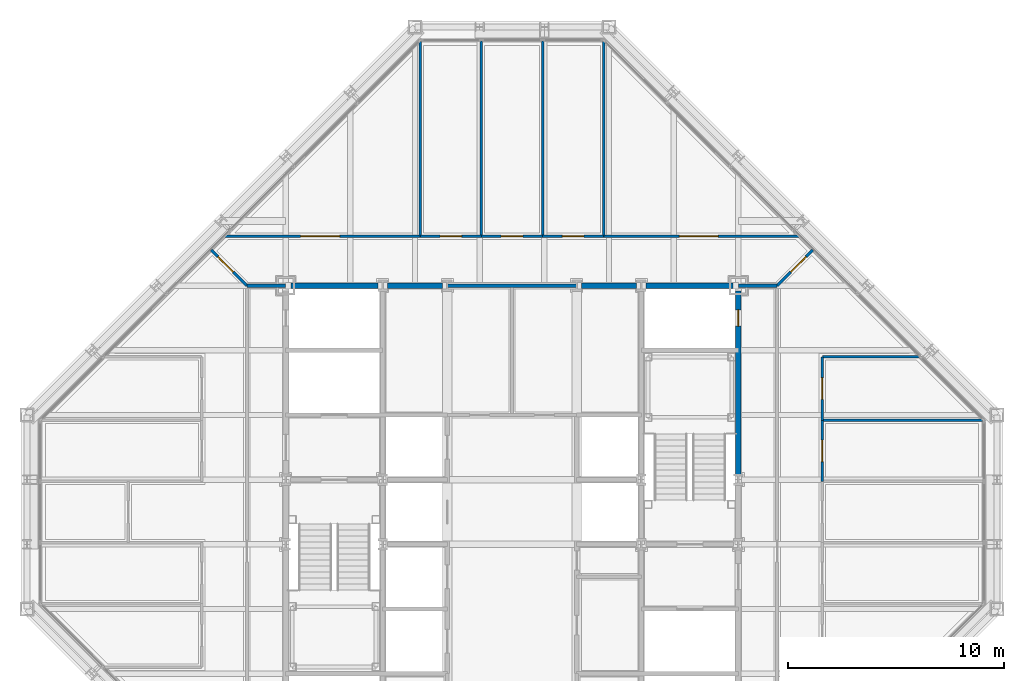
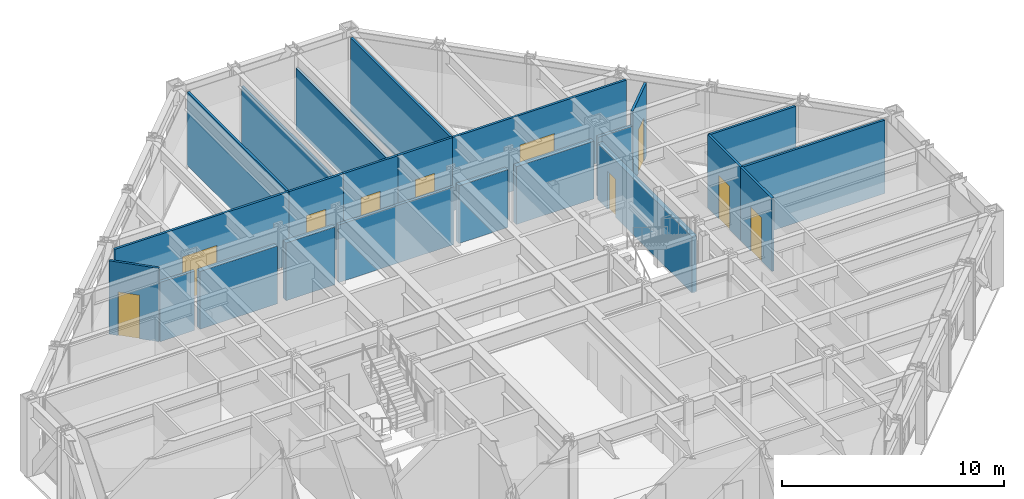
# One storey, part 12 of 15: 23 walls, 10 doors, 10 openings.
"""IFC4 building model written with IfcOpenShell, lengths in metres."""

import ifcopenshell
import ifcopenshell.guid

model = None  # the IFC model being written
_history = None  # IfcOwnerHistory: only IFC2X3 demands one
_inside = {}  # id of a spatial element -> (the spatial element, [elements in it])
_under = {}  # id of a project, library or spatial element -> (it, [spatial elements below it])
_declared = {}  # id of a project -> (the project, [libraries it declares])
_typed = {}  # id of a type object -> (the type object, [elements of that type])
_made_of = {}  # id of a material, layer set ... -> (it, [elements and type objects made of it])


def new_model(schema):
    """Start an empty IFC model of exactly this schema.

    Asked for "IFC4X3", IfcOpenShell would pick the latest addendum, in which some entities
    have other attributes; the version numbers below select the first issue.
    IFC2X3 requires an IfcOwnerHistory on every rooted entity: one is made here for all.
    """
    global model, _history
    if schema == "IFC4X3":
        model = ifcopenshell.file(schema_version=(4, 3, 0, 0))
    else:
        model = ifcopenshell.file(schema=schema)
    _inside.clear()
    _under.clear()
    _declared.clear()
    _typed.clear()
    _made_of.clear()
    _history = None
    if model.schema == "IFC2X3":
        org = make("IfcOrganization", Name="unknown")
        user = make(
            "IfcPersonAndOrganization",
            ThePerson=make("IfcPerson", FamilyName="unknown"),
            TheOrganization=org,
        )
        app = make(
            "IfcApplication",
            ApplicationDeveloper=org,
            Version="unknown",
            ApplicationFullName="unknown",
            ApplicationIdentifier="unknown",
        )
        _history = make(
            "IfcOwnerHistory",
            OwningUser=user,
            OwningApplication=app,
            ChangeAction="ADDED",
            CreationDate=0,
        )
    return model


def make(cls, **values):
    """One entity of the class cls with the attributes given. An attribute that is None is left unset."""
    return model.create_entity(
        cls, **{name: value for name, value in values.items() if value is not None}
    )


def rooted(cls, **values):
    """An entity with a GlobalId (a new one), such as an element, a storey or a relation."""
    return make(cls, GlobalId=ifcopenshell.guid.new(), OwnerHistory=_history, **values)


def si_unit(unit_type, name, prefix=None):
    """IfcSIUnit, for example si_unit("LENGTHUNIT", "METRE", prefix="MILLI")."""
    return make("IfcSIUnit", UnitType=unit_type, Prefix=prefix, Name=name)


def assignment(units):
    """IfcUnitAssignment: the units of a project."""
    return None if units is None else make("IfcUnitAssignment", Units=units)


def point(xyz):
    """IfcCartesianPoint."""
    return None if xyz is None else make("IfcCartesianPoint", Coordinates=xyz)


def direction(xyz):
    """IfcDirection."""
    return None if xyz is None else make("IfcDirection", DirectionRatios=xyz)


def frame(location, z_axis=None, x_axis=None):
    """IfcAxis2Placement3D, a coordinate frame: its origin and axes. An axis left out is left unset."""
    return make(
        "IfcAxis2Placement3D",
        Location=point(location),
        Axis=direction(z_axis),
        RefDirection=direction(x_axis),
    )


def frame_2d(location, x_axis=None):
    """IfcAxis2Placement2D, a coordinate frame in the plane: its origin and x axis."""
    return make(
        "IfcAxis2Placement2D", Location=point(location), RefDirection=direction(x_axis)
    )


def origin():
    """The frame at (0, 0, 0) with its axes left unset."""
    return frame((0.0, 0.0, 0.0))


def place(relative_to, where):
    """IfcLocalPlacement: puts the frame where relative to a parent placement (None: the world)."""
    return make(
        "IfcLocalPlacement", PlacementRelTo=relative_to, RelativePlacement=where
    )


def context(
    kind, dimensions, precision=None, world=None, true_north=None, identifier=None
):
    """IfcGeometricRepresentationContext, for example the 3D "Model" context."""
    return make(
        "IfcGeometricRepresentationContext",
        ContextIdentifier=identifier,
        ContextType=kind,
        CoordinateSpaceDimension=dimensions,
        Precision=precision,
        WorldCoordinateSystem=world,
        TrueNorth=true_north,
    )


def subcontext(parent, identifier, kind, view, scale=None):
    """IfcGeometricRepresentationSubContext, for example "Body" below "Model"."""
    return make(
        "IfcGeometricRepresentationSubContext",
        ContextIdentifier=identifier,
        ContextType=kind,
        ParentContext=parent,
        TargetScale=scale,
        TargetView=view,
    )


def project(units=None, contexts=None):
    """IfcProject with its units and contexts."""
    return rooted(
        "IfcProject",
        Name="project",
        RepresentationContexts=contexts,
        UnitsInContext=assignment(units),
    )


def spatial(cls, under=None, at=None, **own):
    """A site, building, storey or space (cls), placed at a placement, below another one or the project."""
    s = rooted(cls, ObjectPlacement=at, **own)
    if under is not None:
        _under.setdefault(under.id(), (under, []))[1].append(s)
    return s


def profile(cls, at=None, kind="AREA", **sizes):
    """A parametric profile (cls). Its sizes go by their IFC names, for example OverallWidth=200.0."""
    return make(cls, ProfileType=kind, Position=at, **sizes)


def rectangle(**sizes):
    """IfcRectangleProfileDef."""
    return profile("IfcRectangleProfileDef", **sizes)


def extrude(swept, where, along, depth):
    """IfcExtrudedAreaSolid: the profile swept, set in the frame where, extruded along a direction by depth."""
    return make(
        "IfcExtrudedAreaSolid",
        SweptArea=swept,
        Position=where,
        ExtrudedDirection=direction(along),
        Depth=depth,
    )


def shape(context_of_items, identifier, shape_type, items):
    """IfcShapeRepresentation: the items that make up one representation, for example the "Body"."""
    return make(
        "IfcShapeRepresentation",
        ContextOfItems=context_of_items,
        RepresentationIdentifier=identifier,
        RepresentationType=shape_type,
        Items=items,
    )


def material(Name=None, Category=None):
    """IfcMaterial."""
    return make("IfcMaterial", Name=Name, Category=Category)


def layer(
    of_material, thickness, ventilated=None, Name=None, Category=None, Priority=None
):
    """IfcMaterialLayer: one layer of a wall or slab, of a material (None: an air gap)."""
    return make(
        "IfcMaterialLayer",
        Material=of_material,
        LayerThickness=thickness,
        IsVentilated=ventilated,
        Name=Name,
        Category=Category,
        Priority=Priority,
    )


def layer_set(layers, Name=None):
    """IfcMaterialLayerSet."""
    return make("IfcMaterialLayerSet", MaterialLayers=layers, LayerSetName=Name)


def made_of(thing, what):
    """Note that an element or type object is made of a material, layer set ...; save() writes the relation."""
    if what is not None:
        _made_of.setdefault(what.id(), (what, []))[1].append(thing)
    return thing


def type_object(cls, material=None, **own):
    """A type object (cls), such as IfcWallType, which elements share."""
    return made_of(rooted(cls, **own), material)


def element(
    cls,
    number,
    at=None,
    inside=None,
    cuts=None,
    type_object=None,
    material=None,
    context=None,
    identifier="Body",
    shape_type=None,
    held_by="IfcProductDefinitionShape",
    body=None,
    shapes=None,
    **own,
):
    """One element of the class cls, such as IfcWall. Its Tag is "e" and its number.

    at: its placement. inside: the storey or other place that contains it. cuts: it is an
    opening in that element (IfcRelVoidsElement). A single representation is given by context,
    identifier, shape_type and body (its items); several are given by shapes. held_by: the class
    of the entity that holds the representations. save() writes the other relations.
    """
    e = rooted(cls, Tag="e%d" % number, ObjectPlacement=at, **own)
    if body is not None:
        shapes = [shape(context, identifier, shape_type, body)]
    if shapes is not None:
        e.Representation = make(held_by, Representations=shapes)
    if inside is not None:
        _inside.setdefault(inside.id(), (inside, []))[1].append(e)
    if cuts is not None:
        rooted(
            "IfcRelVoidsElement", RelatingBuildingElement=cuts, RelatedOpeningElement=e
        )
    if type_object is not None:
        _typed.setdefault(type_object.id(), (type_object, []))[1].append(e)
    return made_of(e, material)


def fill(opening, filler):
    """IfcRelFillsElement: the door or window that sits in an opening."""
    return rooted(
        "IfcRelFillsElement",
        RelatingOpeningElement=opening,
        RelatedBuildingElement=filler,
    )


def aggregate(whole, parts):
    """IfcRelAggregates: a whole, such as a stair, and the parts it consists of."""
    return rooted("IfcRelAggregates", RelatingObject=whole, RelatedObjects=parts)


def save(model, path):
    """Write the relations noted so far, then the file.

    IfcRelAggregates (storeys below a building ...), IfcRelContainedInSpatialStructure (elements
    in a storey), IfcRelDefinesByType, IfcRelAssociatesMaterial and IfcRelDeclares: one each for
    every whole, place, type object, material and project.
    """
    for whole, parts in _under.values():
        aggregate(whole, parts)
    for where, things in _inside.values():
        rooted(
            "IfcRelContainedInSpatialStructure",
            RelatedElements=things,
            RelatingStructure=where,
        )
    for kind, things in _typed.values():
        rooted("IfcRelDefinesByType", RelatedObjects=things, RelatingType=kind)
    for what, things in _made_of.values():
        rooted("IfcRelAssociatesMaterial", RelatedObjects=things, RelatingMaterial=what)
    for by, libraries in _declared.values():
        rooted("IfcRelDeclares", RelatingContext=by, RelatedDefinitions=libraries)
    model.write(path)


model = new_model("IFC4")

# Units and contexts
model_context = context("Model", 3, precision=1e-05, world=origin(), true_north=direction((0.0, 1.0)))
body_context = subcontext(model_context, "Body", "Model", "MODEL_VIEW")
ifc_project = project(units=[si_unit("LENGTHUNIT", "METRE"), si_unit("AREAUNIT", "SQUARE_METRE"), si_unit("VOLUMEUNIT", "CUBIC_METRE"), si_unit("PLANEANGLEUNIT", "RADIAN"), si_unit("MASSUNIT", "GRAM", prefix="KILO")], contexts=[model_context])

# Site, building, storey
site_placement = place(None, origin())
site = spatial("IfcSite", under=ifc_project, at=site_placement, CompositionType="ELEMENT")
building_placement = place(site_placement, origin())
building = spatial("IfcBuilding", under=site, at=building_placement, Name="Chuquiago Exchange Tower", CompositionType="ELEMENT")
storey_placement = place(building_placement, frame((0.0, 0.0, 270.60009765625)))
storey = spatial("IfcBuildingStorey", under=building, at=storey_placement, Name="L60", CompositionType="ELEMENT", Elevation=270.60009765625)

# Walls
ifc_material_1 = material(Name="Concrete masonry, fully grouted", Category="masonry")
ifc_layer_1 = layer(ifc_material_1, 0.25)
ifc_layer_set_1 = layer_set([ifc_layer_1], Name="W1 core wall 250")
wall_type_1 = type_object("IfcWallType", Name="W1 core wall 250", PredefinedType="SOLIDWALL", material=ifc_layer_set_1)
wall_1_placement = place(storey_placement, frame((12.25, 33.0, 0.0), z_axis=(0.0, 0.0, 1.0), x_axis=(1.0, 0.0, 0.0)))
element("IfcWall", 1, at=wall_1_placement, inside=storey, type_object=wall_type_1, Name="CW-L60-11-0", PredefinedType="SOLIDWALL", context=body_context, shape_type="SweptSolid", body=[
    extrude(rectangle(XDim=4.025146484375, YDim=0.25, at=frame_2d((2.0126953125, 0.0))), origin(), (0.0, 0.0, 1.0), 3.181396484375),
])
for number, where, z_axis, x_axis, name in (
    (2, (16.724853515625, 33.0, 0.0), (0.0, 0.0, 1.0), (1.0, 0.0, 0.0), "CW-L60-11-1"),
    (3, (25.724853515625, 33.0, 0.0), (0.0, 0.0, 1.0), (1.0, 0.0, 0.0), "CW-L60-12-0"),
):
    element("IfcWall", number, at=place(storey_placement, frame(where, z_axis=z_axis, x_axis=x_axis)), inside=storey, type_object=wall_type_1, Name=name, PredefinedType="SOLIDWALL", context=body_context, shape_type="SweptSolid", body=[
        extrude(rectangle(XDim=2.55029296875, YDim=0.25, at=frame_2d((1.275146484375, 0.0))), origin(), (0.0, 0.0, 1.0), 3.181396484375),
    ])
wall_2_placement = place(storey_placement, frame((28.724853515625, 33.0, 0.0), z_axis=(0.0, 0.0, 1.0), x_axis=(1.0, 0.0, 0.0)))
element("IfcWall", 4, at=wall_2_placement, inside=storey, type_object=wall_type_1, Name="CW-L60-12-1", PredefinedType="SOLIDWALL", context=body_context, shape_type="SweptSolid", body=[
    extrude(rectangle(XDim=4.025146484375, YDim=0.25, at=frame_2d((2.0126953125, 0.0))), origin(), (0.0, 0.0, 1.0), 3.181396484375),
])

# Wall, opening, door
wall_3_placement = place(storey_placement, frame((33.0, 24.25, 0.0), z_axis=(0.0, 0.0, 1.0), x_axis=(0.0, 1.0, 0.0)))
wall_3 = element("IfcWall", 5, at=wall_3_placement, inside=storey, type_object=wall_type_1, Name="CW-L60-25-2", PredefinedType="SOLIDWALL", context=body_context, shape_type="SweptSolid", body=[
    extrude(rectangle(XDim=8.5, YDim=0.25, at=frame_2d((4.25, 0.0))), origin(), (0.0, 0.0, 1.0), 3.11279296875),
])
opening_1_placement = place(wall_3_placement, frame((6.875, 0.0, 0.0)))
opening_1 = element("IfcOpeningElement", 6, at=opening_1_placement, cuts=wall_3, Name="Opening L60-010", PredefinedType="OPENING", context=body_context, shape_type="SweptSolid", body=[
    extrude(rectangle(XDim=0.75, YDim=2.10009765625, at=frame_2d((0.375, 1.050048828125))), frame((0.0, 0.135009765625, 0.0), z_axis=(0.0, -1.0, 0.0), x_axis=(1.0, 0.0, 0.0)), (0.0, 0.0, 1.0), 0.27001953125),
])
ifc_material_2 = material(Name="Steel door, painted", Category="steel")
door_type_1 = type_object("IfcDoorType", Name="D6 riser access door 750x2100", OperationType="SINGLE_SWING_LEFT", PredefinedType="DOOR", material=ifc_material_2)
door_1_placement = place(opening_1_placement, origin())
door_1 = element("IfcDoor", 7, at=door_1_placement, inside=storey, type_object=door_type_1, Name="Riser RE2 door", OperationType="SINGLE_SWING_RIGHT", OverallHeight=2.10009765625, OverallWidth=0.75, PredefinedType="DOOR", context=body_context, shape_type="SweptSolid", body=[
    extrude(rectangle(XDim=0.75, YDim=2.10009765625, at=frame_2d((0.375, 1.050048828125))), frame((0.0, 0.02490234375, 0.0), z_axis=(0.0, -1.0, 0.0), x_axis=(1.0, 0.0, 0.0)), (0.0, 0.0, 1.0), 0.050048828125),
])
fill(opening_1, door_1)

# Walls
ifc_material_3 = material(Name="Gypsum board on steel studs, acoustic insulation", Category="steel")
ifc_layer_2 = layer(ifc_material_3, 0.14990234375)
ifc_layer_set_2 = layer_set([ifc_layer_2], Name="W11 corridor wall 150")
wall_type_2 = type_object("IfcWallType", Name="W11 corridor wall 150", PredefinedType="PARTITIONING", material=ifc_layer_set_2)
for number, where, z_axis, x_axis, name in (
    (8, (10.199951171875, 33.0, 0.0), (0.0, 0.0, 1.0), (1.0, 0.0, 0.0), "PW-L60-GWN0"),
    (9, (33.0, 33.0, 0.0), (0.0, 0.0, 1.0), (1.0, 0.0, 0.0), "PW-L60-GEN0"),
):
    element("IfcWall", number, at=place(storey_placement, frame(where, z_axis=z_axis, x_axis=x_axis)), inside=storey, type_object=wall_type_2, Name=name, PredefinedType="PARTITIONING", context=body_context, shape_type="SweptSolid", body=[
        extrude(rectangle(XDim=1.800048828125, YDim=0.14990234375, at=frame_2d((0.89990234375, 0.0))), origin(), (0.0, 0.0, 1.0), 3.270263671875),
    ])
ifc_material_4 = material(Name="Gypsum board on steel studs", Category="steel")
ifc_layer_3 = layer(ifc_material_4, 0.14990234375)
ifc_layer_set_3 = layer_set([ifc_layer_3], Name="W3 core partition 150")
wall_type_3 = type_object("IfcWallType", Name="W3 core partition 150", PredefinedType="PARTITIONING", material=ifc_layer_set_3)
wall_4_placement = place(storey_placement, frame((19.5, 33.0, 0.0), z_axis=(0.0, 0.0, 1.0), x_axis=(1.0, 0.0, 0.0)))
element("IfcWall", 10, at=wall_4_placement, inside=storey, type_object=wall_type_3, Name="CW-L60-TB", PredefinedType="PARTITIONING", context=body_context, shape_type="SweptSolid", body=[
    extrude(rectangle(XDim=6.0, YDim=0.14990234375, at=frame_2d((3.0, 0.0))), origin(), (0.0, 0.0, 1.0), 3.181396484375),
])
ifc_material_5 = material(Name="Gypsum board on steel studs", Category="steel")
ifc_layer_4 = layer(ifc_material_5, 0.1201171875)
ifc_layer_set_4 = layer_set([ifc_layer_4], Name="W4 partition 120")
wall_type_4 = type_object("IfcWallType", Name="W4 partition 120", PredefinedType="PARTITIONING", material=ifc_layer_set_4)
wall_5_placement = place(storey_placement, frame((44.333984375, 26.75146484375, 0.0), z_axis=(0.0, 0.0, 1.0), x_axis=(-1.0, 0.0, 0.0)))
element("IfcWall", 11, at=wall_5_placement, inside=storey, type_object=wall_type_4, Name="PW-L60-E02675", PredefinedType="PARTITIONING", context=body_context, shape_type="SweptSolid", body=[
    extrude(rectangle(XDim=7.43408203125, YDim=0.1201171875, at=frame_2d((3.717041015625, 0.0))), origin(), (0.0, 0.0, 1.0), 4.039794921875),
])
wall_6_placement = place(storey_placement, frame((41.392578125, 29.69287109375, 0.0), z_axis=(0.0, 0.0, 1.0), x_axis=(-1.0, 0.0, 0.0)))
element("IfcWall", 12, at=wall_6_placement, inside=storey, type_object=wall_type_4, Name="PW-L60-E02969", PredefinedType="PARTITIONING", context=body_context, shape_type="SweptSolid", body=[
    extrude(rectangle(XDim=4.49267578125, YDim=0.1201171875, at=frame_2d((2.246337890625, 0.0))), origin(), (0.0, 0.0, 1.0), 4.039794921875),
])

# Wall, opening, door
wall_7_placement = place(storey_placement, frame((36.89990234375, 23.917236328125, 0.0), z_axis=(0.0, 0.0, 1.0), x_axis=(0.0, 1.0, 0.0)))
wall_7 = element("IfcWall", 13, at=wall_7_placement, inside=storey, type_object=wall_type_4, Name="PW-L60-EF02392", PredefinedType="PARTITIONING", context=body_context, shape_type="SweptSolid", body=[
    extrude(rectangle(XDim=2.834228515625, YDim=0.1201171875, at=frame_2d((1.4169921875, 0.0))), origin(), (0.0, 0.0, 1.0), 4.039794921875),
])
opening_2_placement = place(wall_7_placement, frame((0.9169921875, 0.0, 0.0)))
opening_2 = element("IfcOpeningElement", 14, at=opening_2_placement, cuts=wall_7, Name="Opening L60-029", PredefinedType="OPENING", context=body_context, shape_type="SweptSolid", body=[
    extrude(rectangle(XDim=1.0, YDim=2.39990234375, at=frame_2d((0.5, 1.199951171875))), frame((0.0, 0.070068359375, 0.0), z_axis=(0.0, -1.0, 0.0), x_axis=(1.0, 0.0, 0.0)), (0.0, 0.0, 1.0), 0.14013671875),
])
ifc_material_6 = material(Name="Timber frame door, full height glazed panel", Category="wood")
door_type_2 = type_object("IfcDoorType", Name="D14 glazed meeting room door 1000x2400", OperationType="SINGLE_SWING_LEFT", PredefinedType="DOOR", material=ifc_material_6)
door_2_placement = place(opening_2_placement, frame((1.0, 0.0, 0.0), z_axis=(0.0, 0.0, 1.0), x_axis=(-1.0, 0.0, 0.0)))
door_2 = element("IfcDoor", 15, at=door_2_placement, inside=storey, type_object=door_type_2, Name="Meeting room door", OperationType="SINGLE_SWING_RIGHT", OverallHeight=2.39990234375, OverallWidth=1.0, PredefinedType="DOOR", context=body_context, shape_type="SweptSolid", body=[
    extrude(rectangle(XDim=1.0, YDim=2.39990234375, at=frame_2d((0.5, 1.199951171875))), frame((0.0, 0.02490234375, 0.0), z_axis=(0.0, -1.0, 0.0), x_axis=(1.0, 0.0, 0.0)), (0.0, 0.0, 1.0), 0.050048828125),
])
fill(opening_2, door_2)

wall_8_placement = place(storey_placement, frame((36.89990234375, 26.75146484375, 0.0), z_axis=(0.0, 0.0, 1.0), x_axis=(0.0, 1.0, 0.0)))
wall_8 = element("IfcWall", 16, at=wall_8_placement, inside=storey, type_object=wall_type_4, Name="PW-L60-EF02675", PredefinedType="PARTITIONING", context=body_context, shape_type="SweptSolid", body=[
    extrude(rectangle(XDim=2.94140625, YDim=0.1201171875, at=frame_2d((1.470703125, 0.0))), origin(), (0.0, 0.0, 1.0), 4.039794921875),
])
opening_3_placement = place(wall_8_placement, frame((0.970703125, 0.0, 0.0)))
opening_3 = element("IfcOpeningElement", 17, at=opening_3_placement, cuts=wall_8, Name="Opening L60-030", PredefinedType="OPENING", context=body_context, shape_type="SweptSolid", body=[
    extrude(rectangle(XDim=1.0, YDim=2.39990234375, at=frame_2d((0.5, 1.199951171875))), frame((0.0, 0.070068359375, 0.0), z_axis=(0.0, -1.0, 0.0), x_axis=(1.0, 0.0, 0.0)), (0.0, 0.0, 1.0), 0.14013671875),
])
ifc_material_7 = material(Name="Timber door, laminate faced", Category="wood")
door_type_3 = type_object("IfcDoorType", Name="D9 room door 1000x2400", OperationType="SINGLE_SWING_LEFT", PredefinedType="DOOR", material=ifc_material_7)
door_3_placement = place(opening_3_placement, frame((1.0, 0.0, 0.0), z_axis=(0.0, 0.0, 1.0), x_axis=(-1.0, 0.0, 0.0)))
door_3 = element("IfcDoor", 18, at=door_3_placement, inside=storey, type_object=door_type_3, Name="Office door", OperationType="SINGLE_SWING_RIGHT", OverallHeight=2.39990234375, OverallWidth=1.0, PredefinedType="DOOR", context=body_context, shape_type="SweptSolid", body=[
    extrude(rectangle(XDim=1.0, YDim=2.39990234375, at=frame_2d((0.5, 1.199951171875))), frame((0.0, 0.02490234375, 0.0), z_axis=(0.0, -1.0, 0.0), x_axis=(1.0, 0.0, 0.0)), (0.0, 0.0, 1.0), 0.050048828125),
])
fill(opening_3, door_3)

# Walls
wall_9_placement = place(storey_placement, frame((18.24853515625, 44.333984375, 0.0), z_axis=(0.0, 0.0, 1.0), x_axis=(0.0, -1.0, 0.0)))
element("IfcWall", 19, at=wall_9_placement, inside=storey, type_object=wall_type_4, Name="PW-L60-N01825", PredefinedType="PARTITIONING", context=body_context, shape_type="SweptSolid", body=[
    extrude(rectangle(XDim=9.033935546875, YDim=0.1201171875, at=frame_2d((4.51708984375, 0.0))), origin(), (0.0, 0.0, 1.0), 4.039794921875),
])
for number, where, z_axis, x_axis, name in (
    (20, (21.082763671875, 44.347412109375, 0.0), (0.0, 0.0, 1.0), (0.0, -1.0, 0.0), "PW-L60-N02108"),
    (21, (23.917236328125, 44.347412109375, 0.0), (0.0, 0.0, 1.0), (0.0, -1.0, 0.0), "PW-L60-N02392"),
):
    element("IfcWall", number, at=place(storey_placement, frame(where, z_axis=z_axis, x_axis=x_axis)), inside=storey, type_object=wall_type_4, Name=name, PredefinedType="PARTITIONING", context=body_context, shape_type="SweptSolid", body=[
        extrude(rectangle(XDim=9.04736328125, YDim=0.1201171875, at=frame_2d((4.523681640625, 0.0))), origin(), (0.0, 0.0, 1.0), 3.356689453125),
    ])
wall_10_placement = place(storey_placement, frame((26.75146484375, 44.333984375, 0.0), z_axis=(0.0, 0.0, 1.0), x_axis=(0.0, -1.0, 0.0)))
element("IfcWall", 22, at=wall_10_placement, inside=storey, type_object=wall_type_4, Name="PW-L60-N02675", PredefinedType="PARTITIONING", context=body_context, shape_type="SweptSolid", body=[
    extrude(rectangle(XDim=9.033935546875, YDim=0.1201171875, at=frame_2d((4.51708984375, 0.0))), origin(), (0.0, 0.0, 1.0), 4.039794921875),
])

# Wall, opening, door
wall_11_placement = place(storey_placement, frame((9.185546875, 35.300048828125, 0.0), z_axis=(0.0, 0.0, 1.0), x_axis=(1.0, 0.0, 0.0)))
wall_11 = element("IfcWall", 23, at=wall_11_placement, inside=storey, type_object=wall_type_4, Name="PW-L60-NF00942", PredefinedType="PARTITIONING", context=body_context, shape_type="SweptSolid", body=[
    extrude(rectangle(XDim=9.06298828125, YDim=0.1201171875, at=frame_2d((4.531494140625, 0.0))), origin(), (0.0, 0.0, 1.0), 4.039794921875),
])
opening_4_placement = place(wall_11_placement, frame((3.51220703125, 0.0, 0.0)))
opening_4 = element("IfcOpeningElement", 24, at=opening_4_placement, cuts=wall_11, Name="Opening L60-031", PredefinedType="OPENING", context=body_context, shape_type="SweptSolid", body=[
    extrude(rectangle(XDim=1.800048828125, YDim=2.39990234375, at=frame_2d((0.89990234375, 1.199951171875))), frame((0.0, 0.070068359375, 0.0), z_axis=(0.0, -1.0, 0.0), x_axis=(1.0, 0.0, 0.0)), (0.0, 0.0, 1.0), 0.14013671875),
])
ifc_material_8 = material(Name="Timber door pair, laminate faced", Category="wood")
door_type_4 = type_object("IfcDoorType", Name="D15 double room door 1800x2400", OperationType="DOUBLE_DOOR_DOUBLE_SWING", PredefinedType="DOOR", material=ifc_material_8)
door_4_placement = place(opening_4_placement, origin())
door_4 = element("IfcDoor", 25, at=door_4_placement, inside=storey, type_object=door_type_4, Name="Training room door", OperationType="DOUBLE_DOOR_DOUBLE_SWING", OverallHeight=2.39990234375, OverallWidth=1.800048828125, PredefinedType="DOOR", context=body_context, shape_type="SweptSolid", body=[
    extrude(rectangle(XDim=1.800048828125, YDim=2.39990234375, at=frame_2d((0.89990234375, 1.199951171875))), frame((0.0, 0.02490234375, 0.0), z_axis=(0.0, -1.0, 0.0), x_axis=(1.0, 0.0, 0.0)), (0.0, 0.0, 1.0), 0.050048828125),
])
fill(opening_4, door_4)

wall_12_placement = place(storey_placement, frame((18.24853515625, 35.300048828125, 0.0), z_axis=(0.0, 0.0, 1.0), x_axis=(1.0, 0.0, 0.0)))
wall_12 = element("IfcWall", 26, at=wall_12_placement, inside=storey, type_object=wall_type_4, Name="PW-L60-NF01825", PredefinedType="PARTITIONING", context=body_context, shape_type="SweptSolid", body=[
    extrude(rectangle(XDim=2.834228515625, YDim=0.1201171875, at=frame_2d((1.4169921875, 0.0))), origin(), (0.0, 0.0, 1.0), 4.039794921875),
])
opening_5_placement = place(wall_12_placement, frame((0.9169921875, 0.0, 0.0)))
opening_5 = element("IfcOpeningElement", 27, at=opening_5_placement, cuts=wall_12, Name="Opening L60-032", PredefinedType="OPENING", context=body_context, shape_type="SweptSolid", body=[
    extrude(rectangle(XDim=1.0, YDim=2.39990234375, at=frame_2d((0.5, 1.199951171875))), frame((0.0, 0.070068359375, 0.0), z_axis=(0.0, -1.0, 0.0), x_axis=(1.0, 0.0, 0.0)), (0.0, 0.0, 1.0), 0.14013671875),
])
door_5_placement = place(opening_5_placement, origin())
door_5 = element("IfcDoor", 28, at=door_5_placement, inside=storey, type_object=door_type_3, Name="Executive office door", OperationType="SINGLE_SWING_LEFT", OverallHeight=2.39990234375, OverallWidth=1.0, PredefinedType="DOOR", context=body_context, shape_type="SweptSolid", body=[
    extrude(rectangle(XDim=1.0, YDim=2.39990234375, at=frame_2d((0.5, 1.199951171875))), frame((0.0, 0.02490234375, 0.0), z_axis=(0.0, -1.0, 0.0), x_axis=(1.0, 0.0, 0.0)), (0.0, 0.0, 1.0), 0.050048828125),
])
fill(opening_5, door_5)

wall_13_placement = place(storey_placement, frame((21.082763671875, 35.300048828125, 0.0), z_axis=(0.0, 0.0, 1.0), x_axis=(1.0, 0.0, 0.0)))
wall_13 = element("IfcWall", 29, at=wall_13_placement, inside=storey, type_object=wall_type_4, Name="PW-L60-NF02108", PredefinedType="PARTITIONING", context=body_context, shape_type="SweptSolid", body=[
    extrude(rectangle(XDim=2.83447265625, YDim=0.1201171875, at=frame_2d((1.417236328125, 0.0))), origin(), (0.0, 0.0, 1.0), 4.039794921875),
])
opening_6_placement = place(wall_13_placement, frame((0.917236328125, 0.0, 0.0)))
opening_6 = element("IfcOpeningElement", 30, at=opening_6_placement, cuts=wall_13, Name="Opening L60-033", PredefinedType="OPENING", context=body_context, shape_type="SweptSolid", body=[
    extrude(rectangle(XDim=1.0, YDim=2.39990234375, at=frame_2d((0.5, 1.199951171875))), frame((0.0, 0.070068359375, 0.0), z_axis=(0.0, -1.0, 0.0), x_axis=(1.0, 0.0, 0.0)), (0.0, 0.0, 1.0), 0.14013671875),
])
door_6_placement = place(opening_6_placement, origin())
door_6 = element("IfcDoor", 31, at=door_6_placement, inside=storey, type_object=door_type_3, Name="Executive office door", OperationType="SINGLE_SWING_LEFT", OverallHeight=2.39990234375, OverallWidth=1.0, PredefinedType="DOOR", context=body_context, shape_type="SweptSolid", body=[
    extrude(rectangle(XDim=1.0, YDim=2.39990234375, at=frame_2d((0.5, 1.199951171875))), frame((0.0, 0.02490234375, 0.0), z_axis=(0.0, -1.0, 0.0), x_axis=(1.0, 0.0, 0.0)), (0.0, 0.0, 1.0), 0.050048828125),
])
fill(opening_6, door_6)

wall_14_placement = place(storey_placement, frame((23.917236328125, 35.300048828125, 0.0), z_axis=(0.0, 0.0, 1.0), x_axis=(1.0, 0.0, 0.0)))
wall_14 = element("IfcWall", 32, at=wall_14_placement, inside=storey, type_object=wall_type_4, Name="PW-L60-NF02392", PredefinedType="PARTITIONING", context=body_context, shape_type="SweptSolid", body=[
    extrude(rectangle(XDim=2.834228515625, YDim=0.1201171875, at=frame_2d((1.4169921875, 0.0))), origin(), (0.0, 0.0, 1.0), 4.039794921875),
])
opening_7_placement = place(wall_14_placement, frame((0.9169921875, 0.0, 0.0)))
opening_7 = element("IfcOpeningElement", 33, at=opening_7_placement, cuts=wall_14, Name="Opening L60-034", PredefinedType="OPENING", context=body_context, shape_type="SweptSolid", body=[
    extrude(rectangle(XDim=1.0, YDim=2.39990234375, at=frame_2d((0.5, 1.199951171875))), frame((0.0, 0.070068359375, 0.0), z_axis=(0.0, -1.0, 0.0), x_axis=(1.0, 0.0, 0.0)), (0.0, 0.0, 1.0), 0.14013671875),
])
door_7_placement = place(opening_7_placement, origin())
door_7 = element("IfcDoor", 34, at=door_7_placement, inside=storey, type_object=door_type_3, Name="Executive office door", OperationType="SINGLE_SWING_LEFT", OverallHeight=2.39990234375, OverallWidth=1.0, PredefinedType="DOOR", context=body_context, shape_type="SweptSolid", body=[
    extrude(rectangle(XDim=1.0, YDim=2.39990234375, at=frame_2d((0.5, 1.199951171875))), frame((0.0, 0.02490234375, 0.0), z_axis=(0.0, -1.0, 0.0), x_axis=(1.0, 0.0, 0.0)), (0.0, 0.0, 1.0), 0.050048828125),
])
fill(opening_7, door_7)

wall_15_placement = place(storey_placement, frame((26.75146484375, 35.300048828125, 0.0), z_axis=(0.0, 0.0, 1.0), x_axis=(1.0, 0.0, 0.0)))
wall_15 = element("IfcWall", 35, at=wall_15_placement, inside=storey, type_object=wall_type_4, Name="PW-L60-NF02675", PredefinedType="PARTITIONING", context=body_context, shape_type="SweptSolid", body=[
    extrude(rectangle(XDim=9.06298828125, YDim=0.1201171875, at=frame_2d((4.531494140625, 0.0))), origin(), (0.0, 0.0, 1.0), 4.039794921875),
])
opening_8_placement = place(wall_15_placement, frame((3.51220703125, 0.0, 0.0)))
opening_8 = element("IfcOpeningElement", 36, at=opening_8_placement, cuts=wall_15, Name="Opening L60-035", PredefinedType="OPENING", context=body_context, shape_type="SweptSolid", body=[
    extrude(rectangle(XDim=1.800048828125, YDim=2.39990234375, at=frame_2d((0.89990234375, 1.199951171875))), frame((0.0, 0.070068359375, 0.0), z_axis=(0.0, -1.0, 0.0), x_axis=(1.0, 0.0, 0.0)), (0.0, 0.0, 1.0), 0.14013671875),
])
door_8_placement = place(opening_8_placement, origin())
door_8 = element("IfcDoor", 37, at=door_8_placement, inside=storey, type_object=door_type_4, Name="Boardroom door", OperationType="DOUBLE_DOOR_DOUBLE_SWING", OverallHeight=2.39990234375, OverallWidth=1.800048828125, PredefinedType="DOOR", context=body_context, shape_type="SweptSolid", body=[
    extrude(rectangle(XDim=1.800048828125, YDim=2.39990234375, at=frame_2d((0.89990234375, 1.199951171875))), frame((0.0, 0.02490234375, 0.0), z_axis=(0.0, -1.0, 0.0), x_axis=(1.0, 0.0, 0.0)), (0.0, 0.0, 1.0), 0.050048828125),
])
fill(opening_8, door_8)

wall_16_placement = place(storey_placement, frame((34.800048828125, 33.0, 0.0), z_axis=(0.0, 0.0, 1.0), x_axis=(0.707106781187, 0.707106781187, 0.0)))
wall_16 = element("IfcWall", 38, at=wall_16_placement, inside=storey, type_object=wall_type_4, Name="PW-L60-QNE", PredefinedType="PARTITIONING", context=body_context, shape_type="SweptSolid", body=[
    extrude(rectangle(XDim=2.337890625, YDim=0.1201171875, at=frame_2d((1.1689453125, 0.0))), origin(), (0.0, 0.0, 1.0), 4.039794921875),
])
opening_9_placement = place(wall_16_placement, frame((0.89990234375, 0.0, 0.0)))
opening_9 = element("IfcOpeningElement", 39, at=opening_9_placement, cuts=wall_16, Name="Opening L60-044", PredefinedType="OPENING", context=body_context, shape_type="SweptSolid", body=[
    extrude(rectangle(XDim=1.0, YDim=2.39990234375, at=frame_2d((0.5, 1.199951171875))), frame((0.0, 0.070068359375, 0.0), z_axis=(0.0, -1.0, 0.0), x_axis=(1.0, 0.0, 0.0)), (0.0, 0.0, 1.0), 0.14013671875),
])
door_9_placement = place(opening_9_placement, origin())
door_9 = element("IfcDoor", 40, at=door_9_placement, inside=storey, type_object=door_type_3, Name="Team area door", OperationType="SINGLE_SWING_RIGHT", OverallHeight=2.39990234375, OverallWidth=1.0, PredefinedType="DOOR", context=body_context, shape_type="SweptSolid", body=[
    extrude(rectangle(XDim=1.0, YDim=2.39990234375, at=frame_2d((0.5, 1.199951171875))), frame((0.0, 0.02490234375, 0.0), z_axis=(0.0, -1.0, 0.0), x_axis=(1.0, 0.0, 0.0)), (0.0, 0.0, 1.0), 0.050048828125),
])
fill(opening_9, door_9)

wall_17_placement = place(storey_placement, frame((10.199951171875, 33.0, 0.0), z_axis=(0.0, 0.0, 1.0), x_axis=(-0.707106781187, 0.707106781187, 0.0)))
wall_17 = element("IfcWall", 41, at=wall_17_placement, inside=storey, type_object=wall_type_4, Name="PW-L60-QNW", PredefinedType="PARTITIONING", context=body_context, shape_type="SweptSolid", body=[
    extrude(rectangle(XDim=2.337890625, YDim=0.1201171875, at=frame_2d((1.1689453125, 0.0))), origin(), (0.0, 0.0, 1.0), 4.039794921875),
])
opening_10_placement = place(wall_17_placement, frame((0.89990234375, 0.0, 0.0)))
opening_10 = element("IfcOpeningElement", 42, at=opening_10_placement, cuts=wall_17, Name="Opening L60-045", PredefinedType="OPENING", context=body_context, shape_type="SweptSolid", body=[
    extrude(rectangle(XDim=1.0, YDim=2.39990234375, at=frame_2d((0.5, 1.199951171875))), frame((0.0, 0.070068359375, 0.0), z_axis=(0.0, -1.0, 0.0), x_axis=(1.0, 0.0, 0.0)), (0.0, 0.0, 1.0), 0.14013671875),
])
door_10_placement = place(opening_10_placement, frame((1.0, 0.0, 0.0), z_axis=(0.0, 0.0, 1.0), x_axis=(-1.0, 0.0, 0.0)))
door_10 = element("IfcDoor", 43, at=door_10_placement, inside=storey, type_object=door_type_3, Name="Team area door", OperationType="SINGLE_SWING_LEFT", OverallHeight=2.39990234375, OverallWidth=1.0, PredefinedType="DOOR", context=body_context, shape_type="SweptSolid", body=[
    extrude(rectangle(XDim=1.0, YDim=2.39990234375, at=frame_2d((0.5, 1.199951171875))), frame((0.0, 0.02490234375, 0.0), z_axis=(0.0, -1.0, 0.0), x_axis=(1.0, 0.0, 0.0)), (0.0, 0.0, 1.0), 0.050048828125),
])
fill(opening_10, door_10)

save(model, "model.ifc")
